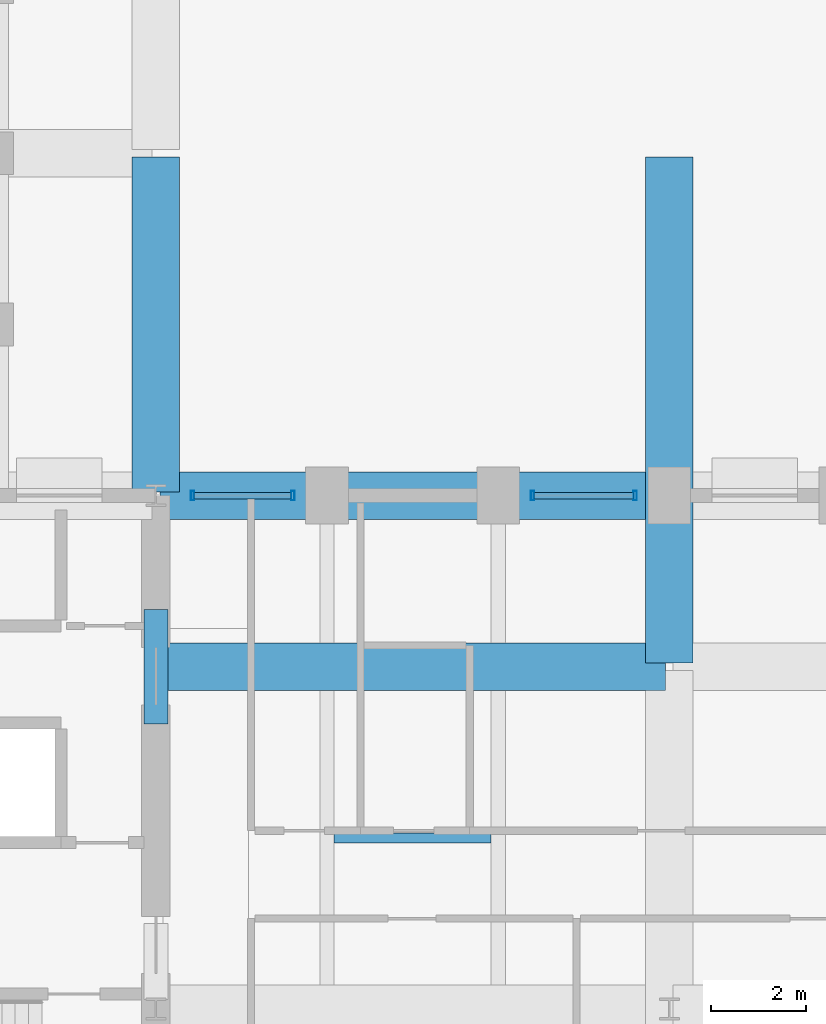
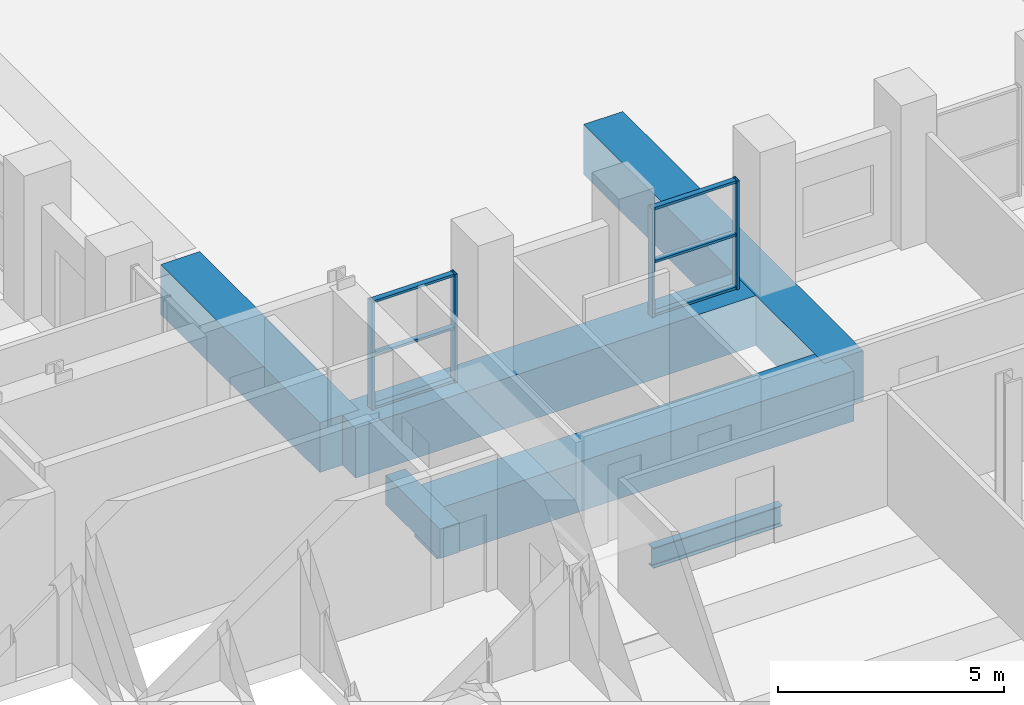
# One storey, part 16 of 39: 10 members, 6 beams, 2 elements without a shape of their own.
"""IFC4 building model written with IfcOpenShell, lengths in metres."""

from ifc_helpers import new_model, si_unit, direction, frame, origin, origin_2d, place, context, subcontext, project, spatial, rectangle, hollow_rectangle, i_section, extrude, material, layer, layer_set, material_profile, profile_set, type_object, element, aggregate, save


model = new_model("IFC4")

# Units and contexts
model_context = context("Model", 3, precision=1e-05, world=origin(), true_north=direction((0.0, 1.0)))
body_context = subcontext(model_context, "Body", "Model", "MODEL_VIEW")
ifc_project = project(units=[si_unit("LENGTHUNIT", "METRE"), si_unit("AREAUNIT", "SQUARE_METRE"), si_unit("VOLUMEUNIT", "CUBIC_METRE"), si_unit("PLANEANGLEUNIT", "RADIAN"), si_unit("MASSUNIT", "GRAM", prefix="KILO")], contexts=[model_context])

# Site, building, storey
site_placement = place(None, origin())
site = spatial("IfcSite", under=ifc_project, at=site_placement, CompositionType="ELEMENT")
building_placement = place(site_placement, origin())
building = spatial("IfcBuilding", under=site, at=building_placement, Name="Solnavia Interchange Tower", CompositionType="ELEMENT")
storey_placement = place(building_placement, frame((0.0, 0.0, 24.0)))
storey = spatial("IfcBuildingStorey", under=building, at=storey_placement, Name="L05", CompositionType="ELEMENT", Elevation=24.0)

# Beams
ifc_material_1 = material(Name="Concrete C50/60", Category="concrete")
ifc_material_profile_1 = material_profile(ifc_material_1, rectangle(XDim=0.5, YDim=0.800048828125, at=origin_2d()), Name="RC 500x800")
ifc_profile_set_1 = profile_set([ifc_material_profile_1], Name="Concrete C50/60")
beam_type_1 = type_object("IfcBeamType", Name="Beam-Coupling-RC500x800", PredefinedType="LINTEL", material=ifc_profile_set_1)
beam_1_placement = place(storey_placement, frame((32.39990234375, 20.39990234375, -0.39990234375), z_axis=(0.0, 1.0, 0.0), x_axis=(-1.0, 0.0, 0.0)))
element("IfcBeam", 1, at=beam_1_placement, inside=storey, type_object=beam_type_1, Name="CPB-L05-E2 Core coupling lintel beam", PredefinedType="LINTEL", context=body_context, shape_type="SweptSolid", body=[
    extrude(rectangle(XDim=0.5, YDim=0.800048828125, at=origin_2d()), origin(), (0.0, 0.0, 1.0), 2.400146484375),
])
ifc_material_2 = material(Name="Steel S355", Category="steel")
ifc_material_profile_2 = material_profile(ifc_material_2, i_section(OverallWidth=0.2099609375, OverallDepth=0.550048828125, WebThickness=0.010986328125, FlangeThickness=0.01708984375, FilletRadius=0.02392578125, at=origin_2d()), Name="IPE 550")
ifc_profile_set_2 = profile_set([ifc_material_profile_2], Name="Steel S355")
beam_type_2 = type_object("IfcBeamType", Name="Beam-Joist-IPE550", PredefinedType="JOIST", material=ifc_profile_set_2)
beam_2_placement = place(storey_placement, frame((36.14990234375, 18.0, -0.675048828125), z_axis=(1.0, 0.0, 0.0), x_axis=(0.0, 1.0, 0.0)))
element("IfcBeam", 2, at=beam_2_placement, inside=storey, type_object=beam_type_2, Name="JST-L05-E02 East wing secondary joist", PredefinedType="JOIST", context=body_context, shape_type="SweptSolid", body=[
    extrude(i_section(OverallWidth=0.2099609375, OverallDepth=0.550048828125, WebThickness=0.010986328125, FlangeThickness=0.01708984375, FilletRadius=0.02392578125, at=origin_2d()), origin(), (0.0, 0.0, 1.0), 3.300048828125),
])
ifc_material_3 = material(Name="Concrete C60/75", Category="concrete")
ifc_material_profile_3 = material_profile(ifc_material_3, rectangle(XDim=1.0, YDim=1.35009765625, at=origin_2d()), Name="RC 1000x1350")
ifc_profile_set_3 = profile_set([ifc_material_profile_3], Name="Concrete C60/75")
beam_type_3 = type_object("IfcBeamType", Name="Beam-Transfer-RC1000x1350", PredefinedType="BEAM", material=ifc_profile_set_3)
beam_3_placement = place(storey_placement, frame((32.47998046875, 21.60009765625, -0.675048828125), z_axis=(1.0, 0.0, 0.0), x_axis=(0.0, 1.0, 0.0)))
element("IfcBeam", 3, at=beam_3_placement, inside=storey, type_object=beam_type_3, Name="TRB-L05-15 East-mid primary transfer girder", PredefinedType="BEAM", context=body_context, shape_type="SweptSolid", body=[
    extrude(rectangle(XDim=1.0, YDim=1.35009765625, at=origin_2d()), origin(), (0.0, 0.0, 1.0), 10.64013671875),
])
beam_4_placement = place(storey_placement, frame((32.39990234375, 25.280029296875, -0.675048828125), z_axis=(0.0, 1.0, 0.0), x_axis=(-1.0, 0.0, 0.0)))
element("IfcBeam", 4, at=beam_4_placement, inside=storey, type_object=beam_type_3, Name="TRB-L05-43 North-east N-S primary transfer girder", PredefinedType="BEAM", context=body_context, shape_type="SweptSolid", body=[
    extrude(rectangle(XDim=1.0, YDim=1.35009765625, at=origin_2d()), origin(), (0.0, 0.0, 1.0), 7.0400390625),
])
for number, where, z_axis, x_axis, name in (
    (5, (43.199951171875, 21.679931640625, -0.675048828125), (0.0, 1.0, 0.0), (-1.0, 0.0, 0.0), "TRB-L05-48 East N-S primary transfer girder"),
    (6, (32.47998046875, 25.199951171875, -0.675048828125), (1.0, 0.0, 0.0), (0.0, 1.0, 0.0), "TRB-L05-66 East-north perimeter transfer girder"),
):
    element("IfcBeam", number, at=place(storey_placement, frame(where, z_axis=z_axis, x_axis=x_axis)), inside=storey, type_object=beam_type_3, Name=name, PredefinedType="BEAM", context=body_context, shape_type="SweptSolid", body=[
        extrude(rectangle(XDim=1.0, YDim=1.35009765625, at=origin_2d()), origin(), (0.0, 0.0, 1.0), 10.64013671875),
    ])

# Curtain wall, members
ifc_material_4 = material(Name="Aluminium Alloy 6063-T6", Category="aluminium")
ifc_layer = layer(ifc_material_4, 0.219970703125)
ifc_layer_set = layer_set([ifc_layer], Name="Aluminium Alloy 6063-T6")
curtain_wall_type = type_object("IfcCurtainWallType", Name="CurtainWall-Tower-CTW3", PredefinedType="NOTDEFINED", material=ifc_layer_set)
curtain_wall_1_placement = place(storey_placement, origin())
curtain_wall_1 = element("IfcCurtainWall", 7, at=curtain_wall_1_placement, inside=storey, type_object=curtain_wall_type, Name="CTW-L05-S28 CTW-3 curtain wall", PredefinedType="NOTDEFINED")
ifc_material_profile_4 = material_profile(ifc_material_4, hollow_rectangle(XDim=0.070068359375, YDim=0.199951171875, WallThickness=0.0048828125, at=origin_2d()), Name="ALU 200x70x5")
ifc_profile_set_4 = profile_set([ifc_material_profile_4], Name="Aluminium Alloy 6063-T6")
member_type_1 = type_object("IfcMemberType", Name="CW-Mullion-CWM-3", PredefinedType="MULLION", material=ifc_profile_set_4)
member_1_placement = place(storey_placement, frame((42.47998046875, 25.199951171875, 0.0), z_axis=(0.0, 0.0, 1.0), x_axis=(-1.0, 0.0, 0.0)))
member_1 = element("IfcMember", 8, at=member_1_placement, type_object=member_type_1, Name="CTW-3 mullion 1", PredefinedType="MULLION", context=body_context, shape_type="SweptSolid", body=[
    extrude(hollow_rectangle(XDim=0.070068359375, YDim=0.199951171875, WallThickness=0.0048828125, at=origin_2d()), origin(), (0.0, 0.0, 1.0), 2.929931640625),
])
member_2_placement = place(storey_placement, frame((40.320068359375, 25.199951171875, 0.0), z_axis=(0.0, 0.0, 1.0), x_axis=(-1.0, 0.0, 0.0)))
member_2 = element("IfcMember", 9, at=member_2_placement, type_object=member_type_1, Name="CTW-3 mullion 2", PredefinedType="MULLION", context=body_context, shape_type="SweptSolid", body=[
    extrude(hollow_rectangle(XDim=0.070068359375, YDim=0.199951171875, WallThickness=0.0048828125, at=origin_2d()), origin(), (0.0, 0.0, 1.0), 2.929931640625),
])

curtain_wall_2_placement = place(storey_placement, origin())
curtain_wall_2 = element("IfcCurtainWall", 10, at=curtain_wall_2_placement, inside=storey, type_object=curtain_wall_type, Name="CTW-L05-S30 CTW-3 curtain wall", PredefinedType="NOTDEFINED")
member_3_placement = place(storey_placement, frame((35.280029296875, 25.199951171875, 0.0), z_axis=(0.0, 0.0, 1.0), x_axis=(-1.0, 0.0, 0.0)))
member_3 = element("IfcMember", 11, at=member_3_placement, type_object=member_type_1, Name="CTW-3 mullion 1", PredefinedType="MULLION", context=body_context, shape_type="SweptSolid", body=[
    extrude(hollow_rectangle(XDim=0.070068359375, YDim=0.199951171875, WallThickness=0.0048828125, at=origin_2d()), origin(), (0.0, 0.0, 1.0), 2.929931640625),
])
member_4_placement = place(storey_placement, frame((33.169921875, 25.199951171875, 0.0), z_axis=(0.0, 0.0, 1.0), x_axis=(-1.0, 0.0, 0.0)))
member_4 = element("IfcMember", 12, at=member_4_placement, type_object=member_type_1, Name="CTW-3 mullion 2", PredefinedType="MULLION", context=body_context, shape_type="SweptSolid", body=[
    extrude(hollow_rectangle(XDim=0.070068359375, YDim=0.199951171875, WallThickness=0.0048828125, at=origin_2d()), origin(), (0.0, 0.0, 1.0), 2.929931640625),
])

# Member
ifc_material_profile_5 = material_profile(ifc_material_4, hollow_rectangle(XDim=0.06494140625, YDim=0.139892578125, WallThickness=0.00390625, at=origin_2d()), Name="ALU 140x65x4")
ifc_profile_set_5 = profile_set([ifc_material_profile_5], Name="Aluminium Alloy 6063-T6")
member_type_2 = type_object("IfcMemberType", Name="CW-Transom-CWT-3", PredefinedType="USERDEFINED", material=ifc_profile_set_5)
member_5_placement = place(storey_placement, frame((42.445068359375, 25.199951171875, 0.032470703125), z_axis=(-1.0, 0.0, 0.0), x_axis=(0.0, 0.0, 1.0)))
member_5 = element("IfcMember", 13, at=member_5_placement, type_object=member_type_2, Name="CTW-3 transom 1.1", ObjectType="TRANSOM", PredefinedType="USERDEFINED", context=body_context, shape_type="SweptSolid", body=[
    extrude(hollow_rectangle(XDim=0.06494140625, YDim=0.139892578125, WallThickness=0.00390625, at=origin_2d()), origin(), (0.0, 0.0, 1.0), 2.090087890625),
])

member_6_placement = place(storey_placement, frame((42.445068359375, 25.199951171875, 1.465087890625), z_axis=(-1.0, 0.0, 0.0), x_axis=(0.0, 0.0, 1.0)))
member_6 = element("IfcMember", 14, at=member_6_placement, type_object=member_type_2, Name="CTW-3 transom 1.2", ObjectType="TRANSOM", PredefinedType="USERDEFINED", context=body_context, shape_type="SweptSolid", body=[
    extrude(hollow_rectangle(XDim=0.06494140625, YDim=0.139892578125, WallThickness=0.00390625, at=origin_2d()), origin(), (0.0, 0.0, 1.0), 2.090087890625),
])

member_7_placement = place(storey_placement, frame((42.445068359375, 25.199951171875, 2.8974609375), z_axis=(-1.0, 0.0, 0.0), x_axis=(0.0, 0.0, 1.0)))
member_7 = element("IfcMember", 15, at=member_7_placement, type_object=member_type_2, Name="CTW-3 transom 1.3", ObjectType="TRANSOM", PredefinedType="USERDEFINED", context=body_context, shape_type="SweptSolid", body=[
    extrude(hollow_rectangle(XDim=0.06494140625, YDim=0.139892578125, WallThickness=0.00390625, at=origin_2d()), origin(), (0.0, 0.0, 1.0), 2.090087890625),
])

aggregate(curtain_wall_1, [member_1, member_2, member_5, member_6, member_7])

member_8_placement = place(storey_placement, frame((35.2451171875, 25.199951171875, 0.032470703125), z_axis=(-1.0, 0.0, 0.0), x_axis=(0.0, 0.0, 1.0)))
member_8 = element("IfcMember", 16, at=member_8_placement, type_object=member_type_2, Name="CTW-3 transom 1.1", ObjectType="TRANSOM", PredefinedType="USERDEFINED", context=body_context, shape_type="SweptSolid", body=[
    extrude(hollow_rectangle(XDim=0.06494140625, YDim=0.139892578125, WallThickness=0.00390625, at=origin_2d()), origin(), (0.0, 0.0, 1.0), 2.0400390625),
])

member_9_placement = place(storey_placement, frame((35.2451171875, 25.199951171875, 1.465087890625), z_axis=(-1.0, 0.0, 0.0), x_axis=(0.0, 0.0, 1.0)))
member_9 = element("IfcMember", 17, at=member_9_placement, type_object=member_type_2, Name="CTW-3 transom 1.2", ObjectType="TRANSOM", PredefinedType="USERDEFINED", context=body_context, shape_type="SweptSolid", body=[
    extrude(hollow_rectangle(XDim=0.06494140625, YDim=0.139892578125, WallThickness=0.00390625, at=origin_2d()), origin(), (0.0, 0.0, 1.0), 2.0400390625),
])

member_10_placement = place(storey_placement, frame((35.2451171875, 25.199951171875, 2.8974609375), z_axis=(-1.0, 0.0, 0.0), x_axis=(0.0, 0.0, 1.0)))
member_10 = element("IfcMember", 18, at=member_10_placement, type_object=member_type_2, Name="CTW-3 transom 1.3", ObjectType="TRANSOM", PredefinedType="USERDEFINED", context=body_context, shape_type="SweptSolid", body=[
    extrude(hollow_rectangle(XDim=0.06494140625, YDim=0.139892578125, WallThickness=0.00390625, at=origin_2d()), origin(), (0.0, 0.0, 1.0), 2.0400390625),
])

aggregate(curtain_wall_2, [member_3, member_4, member_8, member_9, member_10])

save(model, "model.ifc")
